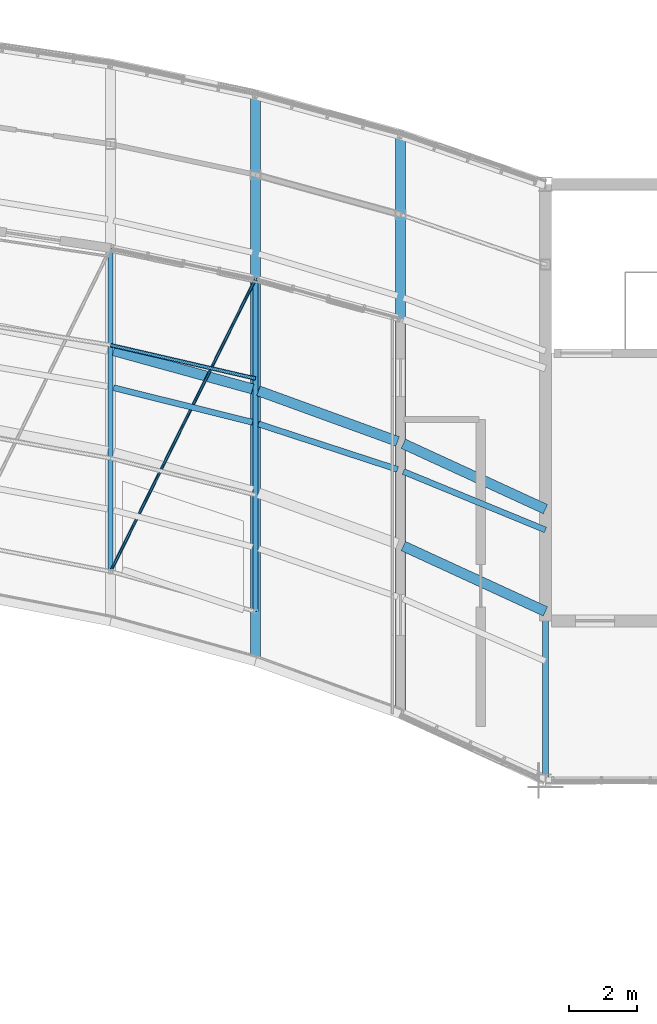
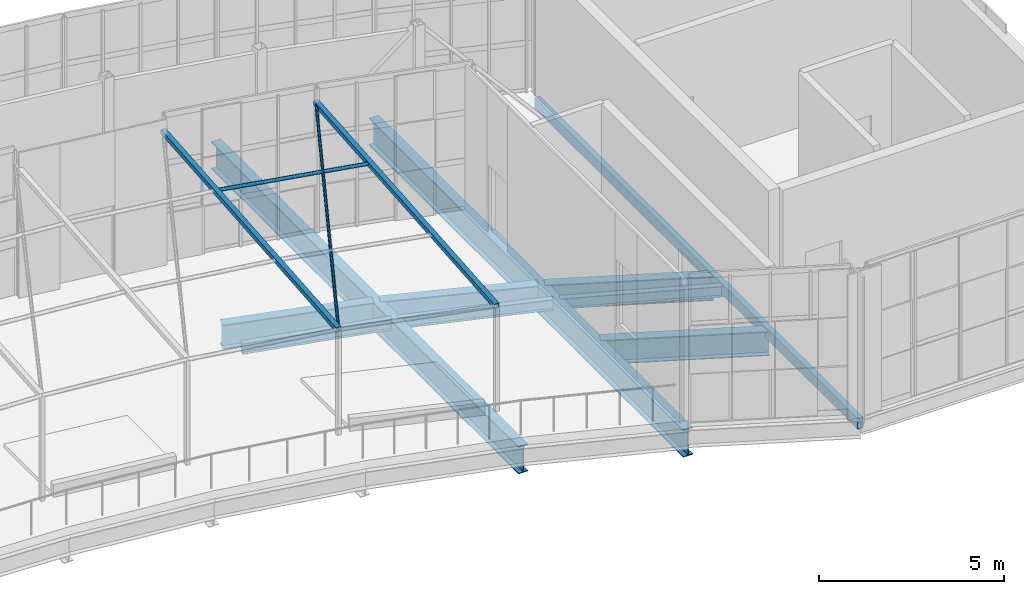
# One storey, part 18 of 35: 10 beams, 4 members.
"""IFC4 building model written with IfcOpenShell, lengths in metres."""

from ifc_helpers import new_model, si_unit, direction, frame, origin, origin_2d, place, context, subcontext, project, spatial, hollow_rectangle, hollow_circle, i_section, extrude, material, material_profile, profile_set, type_object, element, save


model = new_model("IFC4")

# Units and contexts
model_context = context("Model", 3, precision=1e-05, world=origin(), true_north=direction((0.0, 1.0)))
body_context = subcontext(model_context, "Body", "Model", "MODEL_VIEW")
ifc_project = project(units=[si_unit("LENGTHUNIT", "METRE"), si_unit("AREAUNIT", "SQUARE_METRE"), si_unit("VOLUMEUNIT", "CUBIC_METRE"), si_unit("PLANEANGLEUNIT", "RADIAN"), si_unit("MASSUNIT", "GRAM", prefix="KILO")], contexts=[model_context])

# Site, building, storey
site_placement = place(None, origin())
site = spatial("IfcSite", under=ifc_project, at=site_placement, CompositionType="ELEMENT")
building_placement = place(site_placement, origin())
building = spatial("IfcBuilding", under=site, at=building_placement, Name="Solvikara Media Centre", CompositionType="ELEMENT")
storey_placement = place(building_placement, frame((0.0, 0.0, 29.39990234375)))
storey = spatial("IfcBuildingStorey", under=building, at=storey_placement, Name="L06", CompositionType="ELEMENT", Elevation=29.39990234375)

# Beams
ifc_material = material(Name="Steel S355JR", Category="steel")
ifc_material_profile_1 = material_profile(ifc_material, i_section(OverallWidth=0.300048828125, OverallDepth=0.89990234375, WebThickness=0.01611328125, FlangeThickness=0.028076171875, at=origin_2d()), Name="WF 900x300x16x28")
ifc_profile_set_1 = profile_set([ifc_material_profile_1], Name="Steel S355JR")
beam_type_1 = type_object("IfcBeamType", Name="BM-15", PredefinedType="BEAM", material=ifc_profile_set_1)
beam_1_placement = place(storey_placement, frame((119.0, 22.823974609375, -0.721923828125), z_axis=(0.0, 1.0, 0.0), x_axis=(-1.0, 0.0, 0.0)))
element("IfcBeam", 1, at=beam_1_placement, inside=storey, type_object=beam_type_1, Name="BG-L06-NS-10", PredefinedType="BEAM", context=body_context, shape_type="SweptSolid", body=[
    extrude(i_section(OverallWidth=0.300048828125, OverallDepth=0.89990234375, WebThickness=0.01611328125, FlangeThickness=0.028076171875, at=origin_2d()), origin(), (0.0, 0.0, 1.0), 16.60693359375),
])
beam_2_placement = place(storey_placement, frame((123.25, 21.279052734375, -0.721923828125), z_axis=(0.0, 1.0, 0.0), x_axis=(-1.0, 0.0, 0.0)))
element("IfcBeam", 2, at=beam_2_placement, inside=storey, type_object=beam_type_1, Name="BG-L06-NS-11", PredefinedType="BEAM", context=body_context, shape_type="SweptSolid", body=[
    extrude(i_section(OverallWidth=0.300048828125, OverallDepth=0.89990234375, WebThickness=0.01611328125, FlangeThickness=0.028076171875, at=origin_2d()), origin(), (0.0, 0.0, 1.0), 16.98095703125),
])
ifc_material_profile_2 = material_profile(ifc_material, i_section(OverallWidth=0.300048828125, OverallDepth=0.800048828125, WebThickness=0.013916015625, FlangeThickness=0.02587890625, at=origin_2d()), Name="WF 800x300x14x26")
ifc_profile_set_2 = profile_set([ifc_material_profile_2], Name="Steel S355JR")
beam_type_2 = type_object("IfcBeamType", Name="BM-16", PredefinedType="BEAM", material=ifc_profile_set_2)
beam_3_placement = place(storey_placement, frame((114.8369140625, 31.922119140625, -0.671875), z_axis=(0.964019154447, -0.265832785522, 0.0), x_axis=(0.265832785522, 0.964019154447, 0.0)))
element("IfcBeam", 3, at=beam_3_placement, inside=storey, type_object=beam_type_2, Name="B-L06-SPNN-09", PredefinedType="BEAM", context=body_context, shape_type="SweptSolid", body=[
    extrude(i_section(OverallWidth=0.300048828125, OverallDepth=0.800048828125, WebThickness=0.013916015625, FlangeThickness=0.02587890625, at=origin_2d()), origin(), (0.0, 0.0, 1.0), 4.228271484375),
])
beam_4_placement = place(storey_placement, frame((119.0849609375, 30.742919921875, -0.671875), z_axis=(0.939849238439, -0.341589532927, 0.0), x_axis=(0.341589532927, 0.939849238439, 0.0)))
element("IfcBeam", 4, at=beam_4_placement, inside=storey, type_object=beam_type_2, Name="B-L06-SPNN-10", PredefinedType="BEAM", context=body_context, shape_type="SweptSolid", body=[
    extrude(i_section(OverallWidth=0.300048828125, OverallDepth=0.800048828125, WebThickness=0.013916015625, FlangeThickness=0.02587890625, at=origin_2d()), origin(), (0.0, 0.0, 1.0), 4.34130859375),
])
for number, where, z_axis, x_axis, name in (
    (5, (123.33203125, 26.19091796875, -0.669921875), (0.908513080243, -0.417856414367, 0.0), (0.417856414367, 0.908513080243, 0.0), "B-L06-SPNS-11"),
    (6, (123.33203125, 29.19091796875, -0.669921875), (0.908513080243, -0.417856414367, 0.0), (0.417856414367, 0.908513080243, 0.0), "B-L06-SPNN-11"),
):
    element("IfcBeam", number, at=place(storey_placement, frame(where, z_axis=z_axis, x_axis=x_axis)), inside=storey, type_object=beam_type_2, Name=name, PredefinedType="BEAM", context=body_context, shape_type="SweptSolid", body=[
        extrude(i_section(OverallWidth=0.300048828125, OverallDepth=0.800048828125, WebThickness=0.013916015625, FlangeThickness=0.02587890625, at=origin_2d()), origin(), (0.0, 0.0, 1.0), 4.587646484375),
    ])
ifc_material_profile_3 = material_profile(ifc_material, i_section(OverallWidth=0.175048828125, OverallDepth=0.35009765625, WebThickness=0.007080078125, FlangeThickness=0.010986328125, at=origin_2d()), Name="WF 350x175x7x11")
ifc_profile_set_3 = profile_set([ifc_material_profile_3], Name="Steel S355JR")
beam_type_3 = type_object("IfcBeamType", Name="BM-22", PredefinedType="JOIST", material=ifc_profile_set_3)
beam_5_placement = place(storey_placement, frame((114.8369140625, 30.833984375, -0.447021484375), z_axis=(0.970483457867, -0.241167696855, 0.0), x_axis=(0.241167696855, 0.970483457867, 0.0)))
element("IfcBeam", 7, at=beam_5_placement, inside=storey, type_object=beam_type_3, Name="BJ-L06-09-42", PredefinedType="JOIST", context=body_context, shape_type="SweptSolid", body=[
    extrude(i_section(OverallWidth=0.175048828125, OverallDepth=0.35009765625, WebThickness=0.007080078125, FlangeThickness=0.010986328125, at=origin_2d()), origin(), (0.0, 0.0, 1.0), 4.2001953125),
])
beam_6_placement = place(storey_placement, frame((119.0859375, 29.77099609375, -0.447021484375), z_axis=(0.950578037944, -0.310485738447, 0.0), x_axis=(0.310485738447, 0.950578037944, 0.0)))
element("IfcBeam", 8, at=beam_6_placement, inside=storey, type_object=beam_type_3, Name="BJ-L06-10-42", PredefinedType="JOIST", context=body_context, shape_type="SweptSolid", body=[
    extrude(i_section(OverallWidth=0.175048828125, OverallDepth=0.35009765625, WebThickness=0.007080078125, FlangeThickness=0.010986328125, at=origin_2d()), origin(), (0.0, 0.0, 1.0), 4.2900390625),
])
beam_7_placement = place(storey_placement, frame((123.3330078125, 28.376953125, -0.44482421875), z_axis=(0.924906874056, -0.380193732621, 0.0), x_axis=(0.380193732621, 0.924906874056, 0.0)))
element("IfcBeam", 9, at=beam_7_placement, inside=storey, type_object=beam_type_3, Name="BJ-L06-11-42", PredefinedType="JOIST", context=body_context, shape_type="SweptSolid", body=[
    extrude(i_section(OverallWidth=0.175048828125, OverallDepth=0.35009765625, WebThickness=0.007080078125, FlangeThickness=0.010986328125, at=origin_2d()), origin(), (0.0, 0.0, 1.0), 4.50537109375),
])
ifc_material_profile_4 = material_profile(ifc_material, hollow_rectangle(XDim=0.175048828125, YDim=0.35009765625, WallThickness=0.010009765625, at=origin_2d()), Name="RHS 350x175x10")
ifc_profile_set_4 = profile_set([ifc_material_profile_4], Name="Steel S355JR")
beam_type_4 = type_object("IfcBeamType", Name="BM-34", PredefinedType="SPANDREL", material=ifc_profile_set_4)
beam_8_placement = place(storey_placement, frame((127.5, 19.323974609375, -0.39697265625), z_axis=(0.0, 1.0, 0.0), x_axis=(-1.0, 0.0, 0.0)))
element("IfcBeam", 10, at=beam_8_placement, inside=storey, type_object=beam_type_4, Name="B-L06-Y1720", PredefinedType="SPANDREL", context=body_context, shape_type="SweptSolid", body=[
    extrude(hollow_rectangle(XDim=0.175048828125, YDim=0.35009765625, WallThickness=0.010009765625, at=origin_2d()), origin(), (0.0, 0.0, 1.0), 17.47607421875),
])

# Members
ifc_material_profile_5 = material_profile(ifc_material, hollow_circle(Radius=0.05712890625, WallThickness=0.006103515625, at=origin_2d()), Name="CHS 114.3x6")
ifc_profile_set_5 = profile_set([ifc_material_profile_5], Name="Steel S355JR")
member_type_1 = type_object("IfcMemberType", Name="MB-09", PredefinedType="BRACE", material=ifc_profile_set_5)
member_1_placement = place(storey_placement, frame((114.75, 32.083984375, 4.010009765625), z_axis=(0.974430804051, -0.22468780144, 0.0), x_axis=(0.22468780144, 0.974430804051, 0.0)))
element("IfcMember", 11, at=member_1_placement, inside=storey, type_object=member_type_1, Name="PERG-LVR-10-70", PredefinedType="BRACE", context=body_context, shape_type="SweptSolid", body=[
    extrude(hollow_circle(Radius=0.05712890625, WallThickness=0.006103515625, at=origin_2d()), origin(), (0.0, 0.0, 1.0), 4.361572265625),
])
ifc_material_profile_6 = material_profile(ifc_material, hollow_circle(Radius=0.04443359375, WallThickness=0.0048828125, at=origin_2d()), Name="CHS 88.9x5")
ifc_profile_set_6 = profile_set([ifc_material_profile_6], Name="Steel S355JR")
member_type_2 = type_object("IfcMemberType", Name="MB-10", PredefinedType="BRACE", material=ifc_profile_set_6)
member_2_placement = place(storey_placement, frame((114.75, 25.446044921875, 3.4501953125), z_axis=(0.442124061567, 0.893086540724, 0.083203034564), x_axis=(-0.896193989295, 0.443662409443, 0.0)))
element("IfcMember", 12, at=member_2_placement, inside=storey, type_object=member_type_2, Name="PERG-BR-10", PredefinedType="BRACE", context=body_context, shape_type="SweptSolid", body=[
    extrude(hollow_circle(Radius=0.04443359375, WallThickness=0.0048828125, at=origin_2d()), origin(), (0.0, 0.0, 1.0), 9.61279296875),
])
ifc_material_profile_7 = material_profile(ifc_material, hollow_rectangle(XDim=0.14990234375, YDim=0.14990234375, WallThickness=0.00634765625, at=origin_2d()), Name="RHS 150x150x6.3")
ifc_profile_set_7 = profile_set([ifc_material_profile_7], Name="Steel S355JR")
member_type_3 = type_object("IfcMemberType", Name="MB-15", PredefinedType="BRACE", material=ifc_profile_set_7)
member_3_placement = place(storey_placement, frame((114.75, 25.446044921875, 3.4501953125), z_axis=(0.0, 0.996462103523, 0.084043299808), x_axis=(-1.0, 0.0, 0.0)))
element("IfcMember", 13, at=member_3_placement, inside=storey, type_object=member_type_3, Name="PERG-RIB-09", PredefinedType="BRACE", context=body_context, shape_type="SweptSolid", body=[
    extrude(hollow_rectangle(XDim=0.14990234375, YDim=0.14990234375, WallThickness=0.00634765625, at=origin_2d()), origin(), (0.0, 0.0, 1.0), 9.5166015625),
])
member_4_placement = place(storey_placement, frame((119.0, 24.27392578125, 3.4501953125), z_axis=(0.0, 0.996657155071, 0.081697706493), x_axis=(-1.0, 0.0, 0.0)))
element("IfcMember", 14, at=member_4_placement, inside=storey, type_object=member_type_3, Name="PERG-RIB-10", PredefinedType="BRACE", context=body_context, shape_type="SweptSolid", body=[
    extrude(hollow_rectangle(XDim=0.14990234375, YDim=0.14990234375, WallThickness=0.00634765625, at=origin_2d()), origin(), (0.0, 0.0, 1.0), 9.789794921875),
])

save(model, "model.ifc")
